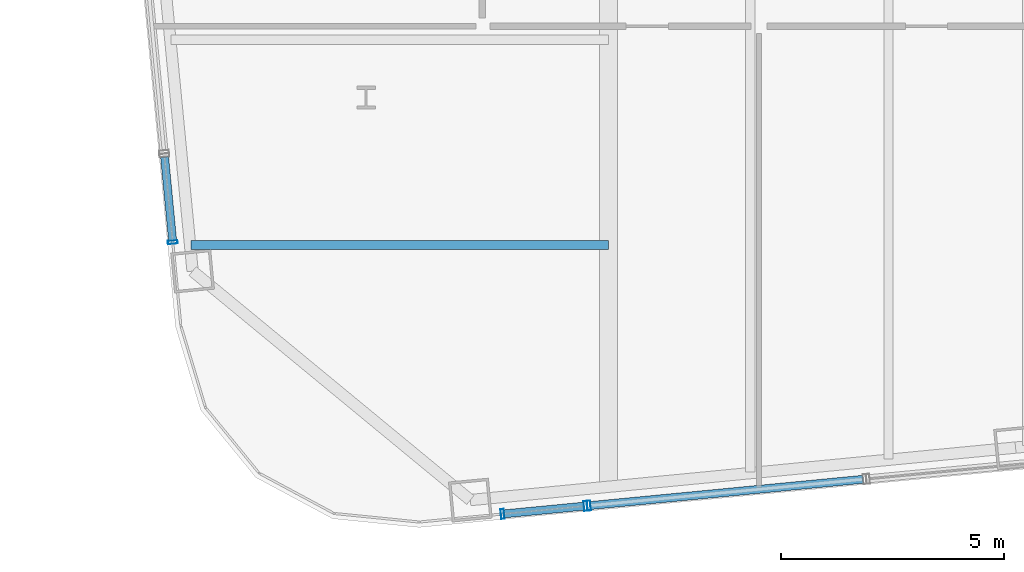
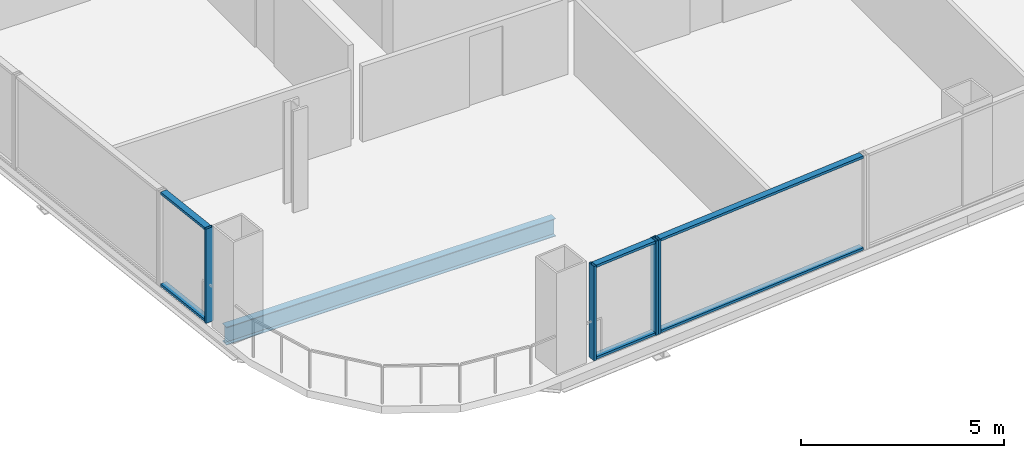
# One storey, part 2 of 28: 10 members, 1 beam, 3 elements without a shape of their own.
"""IFC4 building model written with IfcOpenShell, lengths in metres."""

import ifcopenshell
import ifcopenshell.guid

model = None  # the IFC model being written
_history = None  # IfcOwnerHistory: only IFC2X3 demands one
_inside = {}  # id of a spatial element -> (the spatial element, [elements in it])
_under = {}  # id of a project, library or spatial element -> (it, [spatial elements below it])
_declared = {}  # id of a project -> (the project, [libraries it declares])
_typed = {}  # id of a type object -> (the type object, [elements of that type])
_made_of = {}  # id of a material, layer set ... -> (it, [elements and type objects made of it])


def new_model(schema):
    """Start an empty IFC model of exactly this schema.

    Asked for "IFC4X3", IfcOpenShell would pick the latest addendum, in which some entities
    have other attributes; the version numbers below select the first issue.
    IFC2X3 requires an IfcOwnerHistory on every rooted entity: one is made here for all.
    """
    global model, _history
    if schema == "IFC4X3":
        model = ifcopenshell.file(schema_version=(4, 3, 0, 0))
    else:
        model = ifcopenshell.file(schema=schema)
    _inside.clear()
    _under.clear()
    _declared.clear()
    _typed.clear()
    _made_of.clear()
    _history = None
    if model.schema == "IFC2X3":
        org = make("IfcOrganization", Name="unknown")
        user = make(
            "IfcPersonAndOrganization",
            ThePerson=make("IfcPerson", FamilyName="unknown"),
            TheOrganization=org,
        )
        app = make(
            "IfcApplication",
            ApplicationDeveloper=org,
            Version="unknown",
            ApplicationFullName="unknown",
            ApplicationIdentifier="unknown",
        )
        _history = make(
            "IfcOwnerHistory",
            OwningUser=user,
            OwningApplication=app,
            ChangeAction="ADDED",
            CreationDate=0,
        )
    return model


def make(cls, **values):
    """One entity of the class cls with the attributes given. An attribute that is None is left unset."""
    return model.create_entity(
        cls, **{name: value for name, value in values.items() if value is not None}
    )


def rooted(cls, **values):
    """An entity with a GlobalId (a new one), such as an element, a storey or a relation."""
    return make(cls, GlobalId=ifcopenshell.guid.new(), OwnerHistory=_history, **values)


def si_unit(unit_type, name, prefix=None):
    """IfcSIUnit, for example si_unit("LENGTHUNIT", "METRE", prefix="MILLI")."""
    return make("IfcSIUnit", UnitType=unit_type, Prefix=prefix, Name=name)


def assignment(units):
    """IfcUnitAssignment: the units of a project."""
    return None if units is None else make("IfcUnitAssignment", Units=units)


def point(xyz):
    """IfcCartesianPoint."""
    return None if xyz is None else make("IfcCartesianPoint", Coordinates=xyz)


def direction(xyz):
    """IfcDirection."""
    return None if xyz is None else make("IfcDirection", DirectionRatios=xyz)


def frame(location, z_axis=None, x_axis=None):
    """IfcAxis2Placement3D, a coordinate frame: its origin and axes. An axis left out is left unset."""
    return make(
        "IfcAxis2Placement3D",
        Location=point(location),
        Axis=direction(z_axis),
        RefDirection=direction(x_axis),
    )


def frame_2d(location, x_axis=None):
    """IfcAxis2Placement2D, a coordinate frame in the plane: its origin and x axis."""
    return make(
        "IfcAxis2Placement2D", Location=point(location), RefDirection=direction(x_axis)
    )


def origin():
    """The frame at (0, 0, 0) with its axes left unset."""
    return frame((0.0, 0.0, 0.0))


def origin_2d():
    """The frame at (0, 0) in the plane with its x axis left unset."""
    return frame_2d((0.0, 0.0))


def place(relative_to, where):
    """IfcLocalPlacement: puts the frame where relative to a parent placement (None: the world)."""
    return make(
        "IfcLocalPlacement", PlacementRelTo=relative_to, RelativePlacement=where
    )


def context(
    kind, dimensions, precision=None, world=None, true_north=None, identifier=None
):
    """IfcGeometricRepresentationContext, for example the 3D "Model" context."""
    return make(
        "IfcGeometricRepresentationContext",
        ContextIdentifier=identifier,
        ContextType=kind,
        CoordinateSpaceDimension=dimensions,
        Precision=precision,
        WorldCoordinateSystem=world,
        TrueNorth=true_north,
    )


def subcontext(parent, identifier, kind, view, scale=None):
    """IfcGeometricRepresentationSubContext, for example "Body" below "Model"."""
    return make(
        "IfcGeometricRepresentationSubContext",
        ContextIdentifier=identifier,
        ContextType=kind,
        ParentContext=parent,
        TargetScale=scale,
        TargetView=view,
    )


def project(units=None, contexts=None):
    """IfcProject with its units and contexts."""
    return rooted(
        "IfcProject",
        Name="project",
        RepresentationContexts=contexts,
        UnitsInContext=assignment(units),
    )


def spatial(cls, under=None, at=None, **own):
    """A site, building, storey or space (cls), placed at a placement, below another one or the project."""
    s = rooted(cls, ObjectPlacement=at, **own)
    if under is not None:
        _under.setdefault(under.id(), (under, []))[1].append(s)
    return s


def profile(cls, at=None, kind="AREA", **sizes):
    """A parametric profile (cls). Its sizes go by their IFC names, for example OverallWidth=200.0."""
    return make(cls, ProfileType=kind, Position=at, **sizes)


def hollow_rectangle(**sizes):
    """IfcRectangleHollowProfileDef."""
    return profile("IfcRectangleHollowProfileDef", **sizes)


def i_section(**sizes):
    """IfcIShapeProfileDef."""
    return profile("IfcIShapeProfileDef", **sizes)


def extrude(swept, where, along, depth):
    """IfcExtrudedAreaSolid: the profile swept, set in the frame where, extruded along a direction by depth."""
    return make(
        "IfcExtrudedAreaSolid",
        SweptArea=swept,
        Position=where,
        ExtrudedDirection=direction(along),
        Depth=depth,
    )


def shape(context_of_items, identifier, shape_type, items):
    """IfcShapeRepresentation: the items that make up one representation, for example the "Body"."""
    return make(
        "IfcShapeRepresentation",
        ContextOfItems=context_of_items,
        RepresentationIdentifier=identifier,
        RepresentationType=shape_type,
        Items=items,
    )


def material(Name=None, Category=None):
    """IfcMaterial."""
    return make("IfcMaterial", Name=Name, Category=Category)


def layer(
    of_material, thickness, ventilated=None, Name=None, Category=None, Priority=None
):
    """IfcMaterialLayer: one layer of a wall or slab, of a material (None: an air gap)."""
    return make(
        "IfcMaterialLayer",
        Material=of_material,
        LayerThickness=thickness,
        IsVentilated=ventilated,
        Name=Name,
        Category=Category,
        Priority=Priority,
    )


def layer_set(layers, Name=None):
    """IfcMaterialLayerSet."""
    return make("IfcMaterialLayerSet", MaterialLayers=layers, LayerSetName=Name)


def material_profile(
    of_material, cross_section, Name=None, Category=None, Priority=None
):
    """IfcMaterialProfile: a cross section and its material."""
    return make(
        "IfcMaterialProfile",
        Name=Name,
        Material=of_material,
        Profile=cross_section,
        Priority=Priority,
        Category=Category,
    )


def profile_set(profiles, Name=None, composite=None):
    """IfcMaterialProfileSet."""
    return make(
        "IfcMaterialProfileSet",
        Name=Name,
        MaterialProfiles=profiles,
        CompositeProfile=composite,
    )


def made_of(thing, what):
    """Note that an element or type object is made of a material, layer set ...; save() writes the relation."""
    if what is not None:
        _made_of.setdefault(what.id(), (what, []))[1].append(thing)
    return thing


def type_object(cls, material=None, **own):
    """A type object (cls), such as IfcWallType, which elements share."""
    return made_of(rooted(cls, **own), material)


def element(
    cls,
    number,
    at=None,
    inside=None,
    cuts=None,
    type_object=None,
    material=None,
    context=None,
    identifier="Body",
    shape_type=None,
    held_by="IfcProductDefinitionShape",
    body=None,
    shapes=None,
    **own,
):
    """One element of the class cls, such as IfcWall. Its Tag is "e" and its number.

    at: its placement. inside: the storey or other place that contains it. cuts: it is an
    opening in that element (IfcRelVoidsElement). A single representation is given by context,
    identifier, shape_type and body (its items); several are given by shapes. held_by: the class
    of the entity that holds the representations. save() writes the other relations.
    """
    e = rooted(cls, Tag="e%d" % number, ObjectPlacement=at, **own)
    if body is not None:
        shapes = [shape(context, identifier, shape_type, body)]
    if shapes is not None:
        e.Representation = make(held_by, Representations=shapes)
    if inside is not None:
        _inside.setdefault(inside.id(), (inside, []))[1].append(e)
    if cuts is not None:
        rooted(
            "IfcRelVoidsElement", RelatingBuildingElement=cuts, RelatedOpeningElement=e
        )
    if type_object is not None:
        _typed.setdefault(type_object.id(), (type_object, []))[1].append(e)
    return made_of(e, material)


def aggregate(whole, parts):
    """IfcRelAggregates: a whole, such as a stair, and the parts it consists of."""
    return rooted("IfcRelAggregates", RelatingObject=whole, RelatedObjects=parts)


def save(model, path):
    """Write the relations noted so far, then the file.

    IfcRelAggregates (storeys below a building ...), IfcRelContainedInSpatialStructure (elements
    in a storey), IfcRelDefinesByType, IfcRelAssociatesMaterial and IfcRelDeclares: one each for
    every whole, place, type object, material and project.
    """
    for whole, parts in _under.values():
        aggregate(whole, parts)
    for where, things in _inside.values():
        rooted(
            "IfcRelContainedInSpatialStructure",
            RelatedElements=things,
            RelatingStructure=where,
        )
    for kind, things in _typed.values():
        rooted("IfcRelDefinesByType", RelatedObjects=things, RelatingType=kind)
    for what, things in _made_of.values():
        rooted("IfcRelAssociatesMaterial", RelatedObjects=things, RelatingMaterial=what)
    for by, libraries in _declared.values():
        rooted("IfcRelDeclares", RelatingContext=by, RelatedDefinitions=libraries)
    model.write(path)


model = new_model("IFC4")

# Units and contexts
model_context = context("Model", 3, precision=1e-05, world=origin(), true_north=direction((0.0, 1.0)))
body_context = subcontext(model_context, "Body", "Model", "MODEL_VIEW")
ifc_project = project(units=[si_unit("LENGTHUNIT", "METRE"), si_unit("AREAUNIT", "SQUARE_METRE"), si_unit("VOLUMEUNIT", "CUBIC_METRE"), si_unit("PLANEANGLEUNIT", "RADIAN"), si_unit("MASSUNIT", "GRAM", prefix="KILO")], contexts=[model_context])

# Site, building, storey
site_placement = place(None, origin())
site = spatial("IfcSite", under=ifc_project, at=site_placement, CompositionType="ELEMENT")
building_placement = place(site_placement, origin())
building = spatial("IfcBuilding", under=site, at=building_placement, Name="Qhalaya Broadcast Tower", CompositionType="ELEMENT")
storey_placement = place(building_placement, frame((0.0, 0.0, 90.800048828125)))
storey = spatial("IfcBuildingStorey", under=building, at=storey_placement, Name="L26", CompositionType="ELEMENT", Elevation=90.800048828125)

# Beam
ifc_material_1 = material(Name="Structural Steel ASTM A992 Grade 50", Category="steel")
ifc_material_profile_1 = material_profile(ifc_material_1, i_section(OverallWidth=0.2099609375, OverallDepth=0.535888671875, WebThickness=0.010986328125, FlangeThickness=0.017333984375, at=origin_2d()), Name="W21X68")
ifc_profile_set_1 = profile_set([ifc_material_profile_1], Name="Structural Steel ASTM A992 Grade 50")
beam_type = type_object("IfcBeamType", Name="Composite Floor Joist J02", PredefinedType="JOIST", material=ifc_profile_set_1)
beam_placement = place(storey_placement, frame((-18.7216796875, -16.5, -0.488037109375), z_axis=(1.0, 0.0, 0.0), x_axis=(0.0, 1.0, 0.0)))
element("IfcBeam", 1, at=beam_placement, inside=storey, type_object=beam_type, Name="L26 J02 L26-JWE1W-1", PredefinedType="JOIST", context=body_context, shape_type="SweptSolid", body=[
    extrude(i_section(OverallWidth=0.2099609375, OverallDepth=0.535888671875, WebThickness=0.010986328125, FlangeThickness=0.017333984375, at=origin_2d()), origin(), (0.0, 0.0, 1.0), 9.3466796875),
])

# Curtain wall, members
ifc_material_2 = material(Name="Solar-Control Low-E Triple Glazing", Category="glass")
ifc_layer_1 = layer(ifc_material_2, 0.219970703125, Name="Solar-Control Low-E Triple Glazing")
ifc_layer_set_1 = layer_set([ifc_layer_1], Name="Solar-Control Low-E Triple Glazing")
curtain_wall_type_1 = type_object("IfcCurtainWallType", Name="Even-Block 4-Storey Double-Module Curtain Wall CW-03", PredefinedType="NOTDEFINED", material=ifc_layer_set_1)
curtain_wall_1_placement = place(storey_placement, origin())
curtain_wall_1 = element("IfcCurtainWall", 2, at=curtain_wall_1_placement, inside=storey, type_object=curtain_wall_type_1, Name="L26 Unitised Curtain Wall L26-CW-S1", PredefinedType="NOTDEFINED")
ifc_material_3 = material(Name="Anodised Aluminium 6063-T6", Category="aluminium")
ifc_material_profile_2 = material_profile(ifc_material_3, hollow_rectangle(XDim=0.074951171875, YDim=0.219970703125, WallThickness=0.00390625, at=origin_2d()), Name="ALU-MUL 75x220x4")
ifc_profile_set_2 = profile_set([ifc_material_profile_2], Name="Anodised Aluminium 6063-T6")
member_type_1 = type_object("IfcMemberType", Name="Unitised Curtain-Wall Mullion M01", PredefinedType="MULLION", material=ifc_profile_set_2)
member_1_placement = place(storey_placement, frame((-11.74462890625, -22.52490234375, 0.0), z_axis=(0.0, 0.0, 1.0), x_axis=(0.99539780127, 0.095829104278, 0.0)))
member_1 = element("IfcMember", 3, at=member_1_placement, type_object=member_type_1, Name="CW-03 mullion 1", PredefinedType="MULLION", context=body_context, shape_type="SweptSolid", body=[
    extrude(hollow_rectangle(XDim=0.074951171875, YDim=0.219970703125, WallThickness=0.00390625, at=origin_2d()), origin(), (0.0, 0.0, 1.0), 2.829833984375),
])
member_2_placement = place(storey_placement, frame((-9.88525390625, -22.345947265625, 0.0), z_axis=(0.0, 0.0, 1.0), x_axis=(0.99539780127, 0.095829104278, 0.0)))
member_2 = element("IfcMember", 4, at=member_2_placement, type_object=member_type_1, Name="CW-03 mullion 2", PredefinedType="MULLION", context=body_context, shape_type="SweptSolid", body=[
    extrude(hollow_rectangle(XDim=0.074951171875, YDim=0.219970703125, WallThickness=0.00390625, at=origin_2d()), origin(), (0.0, 0.0, 1.0), 2.829833984375),
])

# Curtain wall, member
ifc_material_4 = material(Name="Fired Architectural Terracotta", Category="masonry")
ifc_layer_2 = layer(ifc_material_4, 0.219970703125, Name="Fired Architectural Terracotta")
ifc_layer_set_2 = layer_set([ifc_layer_2], Name="Fired Architectural Terracotta")
curtain_wall_type_2 = type_object("IfcCurtainWallType", Name="Block-Cap Unitised Terracotta Spandrel Wall CW-07", PredefinedType="NOTDEFINED", material=ifc_layer_set_2)
curtain_wall_2_placement = place(storey_placement, origin())
curtain_wall_2 = element("IfcCurtainWall", 5, at=curtain_wall_2_placement, inside=storey, type_object=curtain_wall_type_2, Name="L26 Unitised Curtain Wall L26-CW-S2", PredefinedType="NOTDEFINED")
member_3_placement = place(storey_placement, frame((-9.810546875, -22.3388671875, 0.0), z_axis=(0.0, 0.0, 1.0), x_axis=(0.995394666059, 0.095861664819, 0.0)))
member_3 = element("IfcMember", 6, at=member_3_placement, type_object=member_type_1, Name="CW-07 mullion 1", PredefinedType="MULLION", context=body_context, shape_type="SweptSolid", body=[
    extrude(hollow_rectangle(XDim=0.074951171875, YDim=0.219970703125, WallThickness=0.00390625, at=origin_2d()), origin(), (0.0, 0.0, 1.0), 2.829833984375),
])

curtain_wall_3_placement = place(storey_placement, origin())
curtain_wall_3 = element("IfcCurtainWall", 7, at=curtain_wall_3_placement, inside=storey, type_object=curtain_wall_type_1, Name="L26 Unitised Curtain Wall L26-CW-W7", PredefinedType="NOTDEFINED")
member_4_placement = place(storey_placement, frame((-19.129638671875, -16.437255859375, 0.0), z_axis=(0.0, 0.0, 1.0), x_axis=(0.095857964978, -0.995395022366, 0.0)))
member_4 = element("IfcMember", 8, at=member_4_placement, type_object=member_type_1, Name="CW-03 mullion 2", PredefinedType="MULLION", context=body_context, shape_type="SweptSolid", body=[
    extrude(hollow_rectangle(XDim=0.074951171875, YDim=0.219970703125, WallThickness=0.00390625, at=origin_2d()), origin(), (0.0, 0.0, 1.0), 2.829833984375),
])

# Member
ifc_material_profile_3 = material_profile(ifc_material_3, hollow_rectangle(XDim=0.074951171875, YDim=0.179931640625, WallThickness=0.00390625, at=origin_2d()), Name="ALU-TRN 75x180x4")
ifc_profile_set_3 = profile_set([ifc_material_profile_3], Name="Anodised Aluminium 6063-T6")
member_type_2 = type_object("IfcMemberType", Name="Unitised Curtain-Wall Transom T01", PredefinedType="USERDEFINED", material=ifc_profile_set_3)
member_5_placement = place(storey_placement, frame((-11.707275390625, -22.521484375, 0.037353515625), z_axis=(0.995394547598, 0.095862894871, 0.0), x_axis=(0.0, 0.0, 1.0)))
member_5 = element("IfcMember", 9, at=member_5_placement, type_object=member_type_2, Name="CW-03 transom 1.1", ObjectType="TRANSOM", PredefinedType="USERDEFINED", context=body_context, shape_type="SweptSolid", body=[
    extrude(hollow_rectangle(XDim=0.074951171875, YDim=0.179931640625, WallThickness=0.00390625, at=origin_2d()), origin(), (0.0, 0.0, 1.0), 1.79296875),
])

member_6_placement = place(storey_placement, frame((-11.707275390625, -22.521484375, 2.79248046875), z_axis=(0.995394547598, 0.095862894871, 0.0), x_axis=(0.0, 0.0, 1.0)))
member_6 = element("IfcMember", 10, at=member_6_placement, type_object=member_type_2, Name="CW-03 transom 1.2", ObjectType="TRANSOM", PredefinedType="USERDEFINED", context=body_context, shape_type="SweptSolid", body=[
    extrude(hollow_rectangle(XDim=0.074951171875, YDim=0.179931640625, WallThickness=0.00390625, at=origin_2d()), origin(), (0.0, 0.0, 1.0), 1.79296875),
])

aggregate(curtain_wall_1, [member_1, member_2, member_5, member_6])

member_7_placement = place(storey_placement, frame((-9.773193359375, -22.335205078125, 0.037353515625), z_axis=(0.995395594457, 0.095852024158, 0.0), x_axis=(0.0, 0.0, 1.0)))
member_7 = element("IfcMember", 11, at=member_7_placement, type_object=member_type_2, Name="CW-07 transom 1.1", ObjectType="TRANSOM", PredefinedType="USERDEFINED", context=body_context, shape_type="SweptSolid", body=[
    extrude(hollow_rectangle(XDim=0.074951171875, YDim=0.179931640625, WallThickness=0.00390625, at=origin_2d()), origin(), (0.0, 0.0, 1.0), 6.130859375),
])

member_8_placement = place(storey_placement, frame((-9.773193359375, -22.335205078125, 2.79248046875), z_axis=(0.995395594457, 0.095852024158, 0.0), x_axis=(0.0, 0.0, 1.0)))
member_8 = element("IfcMember", 12, at=member_8_placement, type_object=member_type_2, Name="CW-07 transom 1.2", ObjectType="TRANSOM", PredefinedType="USERDEFINED", context=body_context, shape_type="SweptSolid", body=[
    extrude(hollow_rectangle(XDim=0.074951171875, YDim=0.179931640625, WallThickness=0.00390625, at=origin_2d()), origin(), (0.0, 0.0, 1.0), 6.130859375),
])

aggregate(curtain_wall_2, [member_3, member_7, member_8])

member_9_placement = place(storey_placement, frame((-19.313232421875, -14.529541015625, 0.037353515625), z_axis=(0.095759446563, -0.995404504909, 0.0), x_axis=(0.0, 0.0, 1.0)))
member_9 = element("IfcMember", 13, at=member_9_placement, type_object=member_type_2, Name="CW-03 transom 1.1", ObjectType="TRANSOM", PredefinedType="USERDEFINED", context=body_context, shape_type="SweptSolid", body=[
    extrude(hollow_rectangle(XDim=0.074951171875, YDim=0.179931640625, WallThickness=0.00390625, at=origin_2d()), origin(), (0.0, 0.0, 1.0), 1.87890625),
])

member_10_placement = place(storey_placement, frame((-19.313232421875, -14.529541015625, 2.79248046875), z_axis=(0.095759446563, -0.995404504909, 0.0), x_axis=(0.0, 0.0, 1.0)))
member_10 = element("IfcMember", 14, at=member_10_placement, type_object=member_type_2, Name="CW-03 transom 1.2", ObjectType="TRANSOM", PredefinedType="USERDEFINED", context=body_context, shape_type="SweptSolid", body=[
    extrude(hollow_rectangle(XDim=0.074951171875, YDim=0.179931640625, WallThickness=0.00390625, at=origin_2d()), origin(), (0.0, 0.0, 1.0), 1.87890625),
])

aggregate(curtain_wall_3, [member_4, member_9, member_10])

save(model, "model.ifc")
